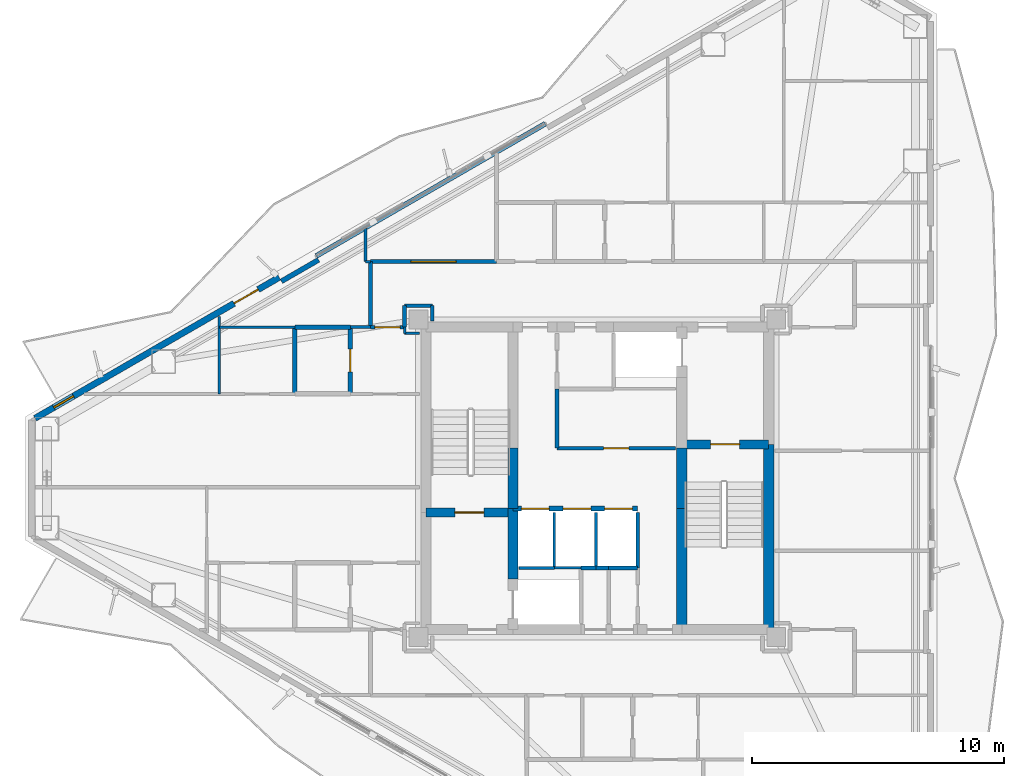
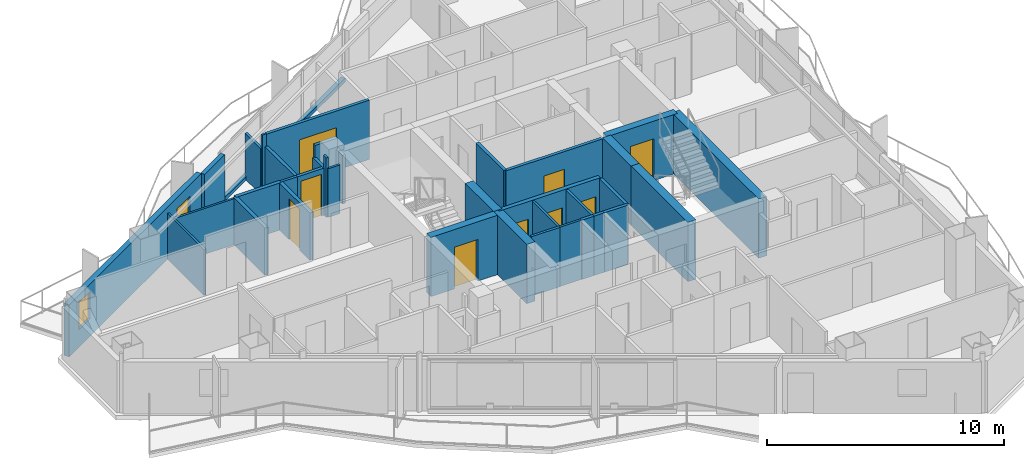
# One storey, part 14 of 19: 37 walls, 10 doors, 1 window, 11 openings.
"""IFC4 building model written with IfcOpenShell, lengths in metres."""

import ifcopenshell
import ifcopenshell.guid

model = None  # the IFC model being written
_history = None  # IfcOwnerHistory: only IFC2X3 demands one
_inside = {}  # id of a spatial element -> (the spatial element, [elements in it])
_under = {}  # id of a project, library or spatial element -> (it, [spatial elements below it])
_declared = {}  # id of a project -> (the project, [libraries it declares])
_typed = {}  # id of a type object -> (the type object, [elements of that type])
_made_of = {}  # id of a material, layer set ... -> (it, [elements and type objects made of it])


def new_model(schema):
    """Start an empty IFC model of exactly this schema.

    Asked for "IFC4X3", IfcOpenShell would pick the latest addendum, in which some entities
    have other attributes; the version numbers below select the first issue.
    IFC2X3 requires an IfcOwnerHistory on every rooted entity: one is made here for all.
    """
    global model, _history
    if schema == "IFC4X3":
        model = ifcopenshell.file(schema_version=(4, 3, 0, 0))
    else:
        model = ifcopenshell.file(schema=schema)
    _inside.clear()
    _under.clear()
    _declared.clear()
    _typed.clear()
    _made_of.clear()
    _history = None
    if model.schema == "IFC2X3":
        org = make("IfcOrganization", Name="unknown")
        user = make(
            "IfcPersonAndOrganization",
            ThePerson=make("IfcPerson", FamilyName="unknown"),
            TheOrganization=org,
        )
        app = make(
            "IfcApplication",
            ApplicationDeveloper=org,
            Version="unknown",
            ApplicationFullName="unknown",
            ApplicationIdentifier="unknown",
        )
        _history = make(
            "IfcOwnerHistory",
            OwningUser=user,
            OwningApplication=app,
            ChangeAction="ADDED",
            CreationDate=0,
        )
    return model


def make(cls, **values):
    """One entity of the class cls with the attributes given. An attribute that is None is left unset."""
    return model.create_entity(
        cls, **{name: value for name, value in values.items() if value is not None}
    )


def rooted(cls, **values):
    """An entity with a GlobalId (a new one), such as an element, a storey or a relation."""
    return make(cls, GlobalId=ifcopenshell.guid.new(), OwnerHistory=_history, **values)


def si_unit(unit_type, name, prefix=None):
    """IfcSIUnit, for example si_unit("LENGTHUNIT", "METRE", prefix="MILLI")."""
    return make("IfcSIUnit", UnitType=unit_type, Prefix=prefix, Name=name)


def assignment(units):
    """IfcUnitAssignment: the units of a project."""
    return None if units is None else make("IfcUnitAssignment", Units=units)


def point(xyz):
    """IfcCartesianPoint."""
    return None if xyz is None else make("IfcCartesianPoint", Coordinates=xyz)


def direction(xyz):
    """IfcDirection."""
    return None if xyz is None else make("IfcDirection", DirectionRatios=xyz)


def frame(location, z_axis=None, x_axis=None):
    """IfcAxis2Placement3D, a coordinate frame: its origin and axes. An axis left out is left unset."""
    return make(
        "IfcAxis2Placement3D",
        Location=point(location),
        Axis=direction(z_axis),
        RefDirection=direction(x_axis),
    )


def frame_2d(location, x_axis=None):
    """IfcAxis2Placement2D, a coordinate frame in the plane: its origin and x axis."""
    return make(
        "IfcAxis2Placement2D", Location=point(location), RefDirection=direction(x_axis)
    )


def origin():
    """The frame at (0, 0, 0) with its axes left unset."""
    return frame((0.0, 0.0, 0.0))


def place(relative_to, where):
    """IfcLocalPlacement: puts the frame where relative to a parent placement (None: the world)."""
    return make(
        "IfcLocalPlacement", PlacementRelTo=relative_to, RelativePlacement=where
    )


def context(
    kind, dimensions, precision=None, world=None, true_north=None, identifier=None
):
    """IfcGeometricRepresentationContext, for example the 3D "Model" context."""
    return make(
        "IfcGeometricRepresentationContext",
        ContextIdentifier=identifier,
        ContextType=kind,
        CoordinateSpaceDimension=dimensions,
        Precision=precision,
        WorldCoordinateSystem=world,
        TrueNorth=true_north,
    )


def subcontext(parent, identifier, kind, view, scale=None):
    """IfcGeometricRepresentationSubContext, for example "Body" below "Model"."""
    return make(
        "IfcGeometricRepresentationSubContext",
        ContextIdentifier=identifier,
        ContextType=kind,
        ParentContext=parent,
        TargetScale=scale,
        TargetView=view,
    )


def project(units=None, contexts=None):
    """IfcProject with its units and contexts."""
    return rooted(
        "IfcProject",
        Name="project",
        RepresentationContexts=contexts,
        UnitsInContext=assignment(units),
    )


def spatial(cls, under=None, at=None, **own):
    """A site, building, storey or space (cls), placed at a placement, below another one or the project."""
    s = rooted(cls, ObjectPlacement=at, **own)
    if under is not None:
        _under.setdefault(under.id(), (under, []))[1].append(s)
    return s


def profile(cls, at=None, kind="AREA", **sizes):
    """A parametric profile (cls). Its sizes go by their IFC names, for example OverallWidth=200.0."""
    return make(cls, ProfileType=kind, Position=at, **sizes)


def rectangle(**sizes):
    """IfcRectangleProfileDef."""
    return profile("IfcRectangleProfileDef", **sizes)


def extrude(swept, where, along, depth):
    """IfcExtrudedAreaSolid: the profile swept, set in the frame where, extruded along a direction by depth."""
    return make(
        "IfcExtrudedAreaSolid",
        SweptArea=swept,
        Position=where,
        ExtrudedDirection=direction(along),
        Depth=depth,
    )


def shape(context_of_items, identifier, shape_type, items):
    """IfcShapeRepresentation: the items that make up one representation, for example the "Body"."""
    return make(
        "IfcShapeRepresentation",
        ContextOfItems=context_of_items,
        RepresentationIdentifier=identifier,
        RepresentationType=shape_type,
        Items=items,
    )


def material(Name=None, Category=None):
    """IfcMaterial."""
    return make("IfcMaterial", Name=Name, Category=Category)


def layer(
    of_material, thickness, ventilated=None, Name=None, Category=None, Priority=None
):
    """IfcMaterialLayer: one layer of a wall or slab, of a material (None: an air gap)."""
    return make(
        "IfcMaterialLayer",
        Material=of_material,
        LayerThickness=thickness,
        IsVentilated=ventilated,
        Name=Name,
        Category=Category,
        Priority=Priority,
    )


def layer_set(layers, Name=None):
    """IfcMaterialLayerSet."""
    return make("IfcMaterialLayerSet", MaterialLayers=layers, LayerSetName=Name)


def made_of(thing, what):
    """Note that an element or type object is made of a material, layer set ...; save() writes the relation."""
    if what is not None:
        _made_of.setdefault(what.id(), (what, []))[1].append(thing)
    return thing


def type_object(cls, material=None, **own):
    """A type object (cls), such as IfcWallType, which elements share."""
    return made_of(rooted(cls, **own), material)


def element(
    cls,
    number,
    at=None,
    inside=None,
    cuts=None,
    type_object=None,
    material=None,
    context=None,
    identifier="Body",
    shape_type=None,
    held_by="IfcProductDefinitionShape",
    body=None,
    shapes=None,
    **own,
):
    """One element of the class cls, such as IfcWall. Its Tag is "e" and its number.

    at: its placement. inside: the storey or other place that contains it. cuts: it is an
    opening in that element (IfcRelVoidsElement). A single representation is given by context,
    identifier, shape_type and body (its items); several are given by shapes. held_by: the class
    of the entity that holds the representations. save() writes the other relations.
    """
    e = rooted(cls, Tag="e%d" % number, ObjectPlacement=at, **own)
    if body is not None:
        shapes = [shape(context, identifier, shape_type, body)]
    if shapes is not None:
        e.Representation = make(held_by, Representations=shapes)
    if inside is not None:
        _inside.setdefault(inside.id(), (inside, []))[1].append(e)
    if cuts is not None:
        rooted(
            "IfcRelVoidsElement", RelatingBuildingElement=cuts, RelatedOpeningElement=e
        )
    if type_object is not None:
        _typed.setdefault(type_object.id(), (type_object, []))[1].append(e)
    return made_of(e, material)


def fill(opening, filler):
    """IfcRelFillsElement: the door or window that sits in an opening."""
    return rooted(
        "IfcRelFillsElement",
        RelatingOpeningElement=opening,
        RelatedBuildingElement=filler,
    )


def aggregate(whole, parts):
    """IfcRelAggregates: a whole, such as a stair, and the parts it consists of."""
    return rooted("IfcRelAggregates", RelatingObject=whole, RelatedObjects=parts)


def save(model, path):
    """Write the relations noted so far, then the file.

    IfcRelAggregates (storeys below a building ...), IfcRelContainedInSpatialStructure (elements
    in a storey), IfcRelDefinesByType, IfcRelAssociatesMaterial and IfcRelDeclares: one each for
    every whole, place, type object, material and project.
    """
    for whole, parts in _under.values():
        aggregate(whole, parts)
    for where, things in _inside.values():
        rooted(
            "IfcRelContainedInSpatialStructure",
            RelatedElements=things,
            RelatingStructure=where,
        )
    for kind, things in _typed.values():
        rooted("IfcRelDefinesByType", RelatedObjects=things, RelatingType=kind)
    for what, things in _made_of.values():
        rooted("IfcRelAssociatesMaterial", RelatedObjects=things, RelatingMaterial=what)
    for by, libraries in _declared.values():
        rooted("IfcRelDeclares", RelatingContext=by, RelatedDefinitions=libraries)
    model.write(path)


model = new_model("IFC4")

# Units and contexts
model_context = context("Model", 3, precision=1e-05, world=origin(), true_north=direction((0.0, 1.0)))
body_context = subcontext(model_context, "Body", "Model", "MODEL_VIEW")
ifc_project = project(units=[si_unit("LENGTHUNIT", "METRE"), si_unit("AREAUNIT", "SQUARE_METRE"), si_unit("VOLUMEUNIT", "CUBIC_METRE"), si_unit("PLANEANGLEUNIT", "RADIAN"), si_unit("MASSUNIT", "GRAM", prefix="KILO")], contexts=[model_context])

# Site, building, storey
site_placement = place(None, origin())
site = spatial("IfcSite", under=ifc_project, at=site_placement, CompositionType="ELEMENT")
building_placement = place(site_placement, origin())
building = spatial("IfcBuilding", under=site, at=building_placement, Name="Mersakhor Tower and Convention Hall", CompositionType="ELEMENT")
storey_placement = place(building_placement, frame((0.0, 0.0, 127.800048828125)))
storey = spatial("IfcBuildingStorey", under=building, at=storey_placement, Name="L35", CompositionType="ELEMENT", Elevation=127.800048828125)

# Wall, openings, door, window
ifc_material_1 = material(Name="Precast concrete C40/50", Category="concrete")
ifc_layer_1 = layer(ifc_material_1, 0.25)
ifc_layer_set_1 = layer_set([ifc_layer_1], Name="Precast concrete C40/50")
wall_type_1 = type_object("IfcWallType", Name="WL-EXT-250", PredefinedType="SOLIDWALL", material=ifc_layer_set_1)
wall_1_placement = place(storey_placement, frame((6.690185546875, 29.1337890625, 0.0), z_axis=(0.0, 0.0, 1.0), x_axis=(0.866027848477, 0.499995765644, 0.0)))
wall_1 = element("IfcWall", 1, at=wall_1_placement, inside=storey, type_object=wall_type_1, Name="L35 Exterior Facade Wall F1-B1", PredefinedType="SOLIDWALL", context=body_context, shape_type="SweptSolid", body=[
    extrude(rectangle(XDim=11.18603515625, YDim=0.25, at=frame_2d((5.593017578125, 0.0))), origin(), (0.0, 0.0, 1.0), 2.679931640625),
])
opening_1_placement = place(wall_1_placement, frame((9.1220703125, 0.0, 0.0)))
opening_1 = element("IfcOpeningElement", 2, at=opening_1_placement, cuts=wall_1, Name="Opening BD-02", PredefinedType="OPENING", context=body_context, shape_type="SweptSolid", body=[
    extrude(rectangle(XDim=1.10009765625, YDim=2.10009765625, at=frame_2d((0.550048828125, 1.050048828125))), frame((0.0, 0.135009765625, 0.0), z_axis=(0.0, -1.0, 0.0), x_axis=(1.0, 0.0, 0.0)), (0.0, 0.0, 1.0), 0.27001953125),
])
opening_2_placement = place(wall_1_placement, frame((0.860107421875, 0.0, 0.89990234375)))
opening_2 = element("IfcOpeningElement", 3, at=opening_2_placement, cuts=wall_1, Name="Opening W-06", PredefinedType="OPENING", context=body_context, shape_type="SweptSolid", body=[
    extrude(rectangle(XDim=0.89990234375, YDim=1.39990234375, at=frame_2d((0.449951171875, 0.699951171875))), frame((0.0, 0.135009765625, 0.0), z_axis=(0.0, -1.0, 0.0), x_axis=(1.0, 0.0, 0.0)), (0.0, 0.0, 1.0), 0.27001953125),
])
ifc_material_2 = material(Name="Thermally broken dark aluminium and safety glass", Category="aluminium")
door_type_1 = type_object("IfcDoorType", Name="DR-BAL-110x210", OperationType="NOTDEFINED", PredefinedType="DOOR", material=ifc_material_2)
door_1_placement = place(opening_1_placement, origin())
door_1 = element("IfcDoor", 4, at=door_1_placement, inside=storey, type_object=door_type_1, Name="L35 Balcony Terrace Door F1-B1", OperationType="SINGLE_SWING_RIGHT", OverallHeight=2.10009765625, OverallWidth=1.10009765625, PredefinedType="DOOR", context=body_context, shape_type="SweptSolid", body=[
    extrude(rectangle(XDim=1.10009765625, YDim=2.10009765625, at=frame_2d((0.550048828125, 1.050048828125))), frame((0.0, 0.02490234375, 0.0), z_axis=(0.0, -1.0, 0.0), x_axis=(1.0, 0.0, 0.0)), (0.0, 0.0, 1.0), 0.050048828125),
])
fill(opening_1, door_1)
ifc_material_3 = material(Name="Dark solar low-E glazed aluminium window", Category="aluminium")
window_type = type_object("IfcWindowType", Name="WN-STD-090x140", PartitioningType="SINGLE_PANEL", PredefinedType="WINDOW", material=ifc_material_3)
window_placement = place(opening_2_placement, origin())
window = element("IfcWindow", 5, at=window_placement, inside=storey, type_object=window_type, Name="L35 Bedroom Facade Window F1-B1-1", OverallHeight=1.39990234375, OverallWidth=0.89990234375, PartitioningType="SINGLE_PANEL", PredefinedType="WINDOW", context=body_context, shape_type="SweptSolid", body=[
    extrude(rectangle(XDim=0.89990234375, YDim=1.39990234375, at=frame_2d((0.449951171875, 0.699951171875))), frame((0.0, 0.030029296875, 0.0), z_axis=(0.0, -1.0, 0.0), x_axis=(1.0, 0.0, 0.0)), (0.0, 0.0, 1.0), 0.06005859375),
])
fill(opening_2, window)

# Walls
ifc_material_4 = material(Name="Precast concrete C40/50", Category="concrete")
ifc_layer_2 = layer(ifc_material_4, 0.199951171875)
ifc_layer_set_2 = layer_set([ifc_layer_2], Name="Precast concrete C40/50")
wall_type_2 = type_object("IfcWallType", Name="WL-PAR-200", PredefinedType="PARAPET", material=ifc_layer_set_2)
wall_2_placement = place(storey_placement, frame((17.849853515625, 35.57666015625, 0.0), z_axis=(0.0, 0.0, 1.0), x_axis=(0.866026619769, 0.499997893847, 0.0)))
element("IfcWall", 6, at=wall_2_placement, inside=storey, type_object=wall_type_2, Name="L35 Curtain Wall Upstand Sill F1-B2", PredefinedType="PARAPET", context=body_context, shape_type="SweptSolid", body=[
    extrude(rectangle(XDim=10.48583984375, YDim=0.199951171875, at=frame_2d((5.242919921875, 0.0))), origin(), (0.0, 0.0, 1.0), 0.199951171875),
])
wall_3_placement = place(storey_placement, frame((16.467529296875, 34.57080078125, 0.0), z_axis=(0.0, 0.0, 1.0), x_axis=(0.865989465428, 0.500062241894, 0.0)))
element("IfcWall", 7, at=wall_3_placement, inside=storey, type_object=wall_type_2, Name="L35 Column Pier Cladding Wall F1-C1", PredefinedType="PARAPET", context=body_context, shape_type="SweptSolid", body=[
    extrude(rectangle(XDim=1.699951171875, YDim=0.199951171875, at=frame_2d((0.85009765625, 0.0))), origin(), (0.0, 0.0, 1.0), 2.679931640625),
])

# Wall, opening, door
ifc_material_5 = material(Name="Moisture-resistant acoustic drywall studwork", Category="other")
ifc_layer_3 = layer(ifc_material_5, 0.175048828125)
ifc_layer_set_3 = layer_set([ifc_layer_3], Name="Moisture-resistant acoustic drywall studwork")
wall_type_3 = type_object("IfcWallType", Name="WL-PLM-175", PredefinedType="PLUMBINGWALL", material=ifc_layer_set_3)
wall_4_placement = place(storey_placement, frame((19.199951171875, 30.10009765625, 0.0), z_axis=(0.0, 0.0, 1.0), x_axis=(0.0, 1.0, 0.0)))
wall_4 = element("IfcWall", 8, at=wall_4_placement, inside=storey, type_object=wall_type_3, Name="L35 Interior Partition Wall P-058", PredefinedType="PLUMBINGWALL", context=body_context, shape_type="SweptSolid", body=[
    extrude(rectangle(XDim=2.64990234375, YDim=0.175048828125, at=frame_2d((1.324951171875, 0.0))), origin(), (0.0, 0.0, 1.0), 2.432861328125),
])
opening_3_placement = place(wall_4_placement, frame((0.875, 0.0, 0.0)))
opening_3 = element("IfcOpeningElement", 9, at=opening_3_placement, cuts=wall_4, Name="Opening WD-01", PredefinedType="OPENING", context=body_context, shape_type="SweptSolid", body=[
    extrude(rectangle(XDim=0.89990234375, YDim=2.10009765625, at=frame_2d((0.449951171875, 1.050048828125))), frame((0.0, 0.097412109375, 0.0), z_axis=(0.0, -1.0, 0.0), x_axis=(1.0, 0.0, 0.0)), (0.0, 0.0, 1.0), 0.195068359375),
])
ifc_material_6 = material(Name="Solid-core hardwood leaf in painted steel frame", Category="steel")
door_type_2 = type_object("IfcDoorType", Name="DR-INT-WET-090x210", OperationType="NOTDEFINED", PredefinedType="DOOR", material=ifc_material_6)
door_2_placement = place(opening_3_placement, origin())
door_2 = element("IfcDoor", 10, at=door_2_placement, inside=storey, type_object=door_type_2, Name="L35 L35 Flat W3 Apartment Hall to L35 Flat W3 Bathroom Door", OperationType="SINGLE_SWING_LEFT", OverallHeight=2.10009765625, OverallWidth=0.89990234375, PredefinedType="DOOR", context=body_context, shape_type="SweptSolid", body=[
    extrude(rectangle(XDim=0.89990234375, YDim=2.10009765625, at=frame_2d((0.449951171875, 1.050048828125))), frame((0.0, 0.02490234375, 0.0), z_axis=(0.0, -1.0, 0.0), x_axis=(1.0, 0.0, 0.0)), (0.0, 0.0, 1.0), 0.050048828125),
])
fill(opening_3, door_2)

# Walls
wall_5_placement = place(storey_placement, frame((17.0, 32.75, 0.0), z_axis=(0.0, 0.0, 1.0), x_axis=(1.0, 0.0, 0.0)))
element("IfcWall", 11, at=wall_5_placement, inside=storey, type_object=wall_type_3, Name="L35 Interior Partition Wall P-079", PredefinedType="PLUMBINGWALL", context=body_context, shape_type="SweptSolid", body=[
    extrude(rectangle(XDim=2.199951171875, YDim=0.175048828125, at=frame_2d((1.10009765625, 0.0))), origin(), (0.0, 0.0, 1.0), 2.432861328125),
])
wall_6_placement = place(storey_placement, frame((17.0, 30.10009765625, 0.0), z_axis=(0.0, 0.0, 1.0), x_axis=(0.0, 1.0, 0.0)))
element("IfcWall", 12, at=wall_6_placement, inside=storey, type_object=wall_type_3, Name="L35 Interior Partition Wall P-081", PredefinedType="PLUMBINGWALL", context=body_context, shape_type="SweptSolid", body=[
    extrude(rectangle(XDim=2.64990234375, YDim=0.175048828125, at=frame_2d((1.324951171875, 0.0))), origin(), (0.0, 0.0, 1.0), 2.432861328125),
])
ifc_material_7 = material(Name="Lightweight gypsum partition", Category="other")
ifc_layer_4 = layer(ifc_material_7, 0.10009765625)
ifc_layer_set_4 = layer_set([ifc_layer_4], Name="Lightweight gypsum partition")
wall_type_4 = type_object("IfcWallType", Name="WL-PRT-100", PredefinedType="PARTITIONING", material=ifc_layer_set_4)
wall_7_placement = place(storey_placement, frame((27.300048828125, 23.199951171875, 0.0), z_axis=(0.0, 0.0, 1.0), x_axis=(1.0, 0.0, 0.0)))
element("IfcWall", 13, at=wall_7_placement, inside=storey, type_object=wall_type_4, Name="L35 Interior Partition Wall P-002", PredefinedType="PARTITIONING", context=body_context, shape_type="SweptSolid", body=[
    extrude(rectangle(XDim=1.050048828125, YDim=0.10009765625, at=frame_2d((0.52490234375, 0.0))), origin(), (0.0, 0.0, 1.0), 3.06005859375),
])
wall_8_placement = place(storey_placement, frame((27.300048828125, 25.39990234375, 0.0), z_axis=(0.0, 0.0, 1.0), x_axis=(0.0, -1.0, 0.0)))
element("IfcWall", 14, at=wall_8_placement, inside=storey, type_object=wall_type_4, Name="L35 Interior Partition Wall P-006", PredefinedType="PARTITIONING", context=body_context, shape_type="SweptSolid", body=[
    extrude(rectangle(XDim=2.199951171875, YDim=0.10009765625, at=frame_2d((1.10009765625, 0.0))), origin(), (0.0, 0.0, 1.0), 3.06005859375),
])
wall_9_placement = place(storey_placement, frame((21.35009765625, 32.5, 0.0), z_axis=(0.0, 0.0, 1.0), x_axis=(1.0, 0.0, 0.0)))
element("IfcWall", 15, at=wall_9_placement, inside=storey, type_object=wall_type_4, Name="L35 Interior Partition Wall P-056", PredefinedType="PARTITIONING", context=body_context, shape_type="SweptSolid", body=[
    extrude(rectangle(XDim=0.599853515625, YDim=0.10009765625, at=frame_2d((0.2998046875, 0.0))), origin(), (0.0, 0.0, 1.0), 2.50830078125),
])
wall_10_placement = place(storey_placement, frame((21.35009765625, 32.75, 0.0), z_axis=(0.0, 0.0, 1.0), x_axis=(0.0, -1.0, 0.0)))
element("IfcWall", 16, at=wall_10_placement, inside=storey, type_object=wall_type_4, Name="L35 Interior Partition Wall P-060", PredefinedType="PARTITIONING", context=body_context, shape_type="SweptSolid", body=[
    extrude(rectangle(XDim=0.25, YDim=0.10009765625, at=frame_2d((0.125, 0.0))), origin(), (0.0, 0.0, 1.0), 3.06005859375),
])
wall_11_placement = place(storey_placement, frame((14.0, 32.75, 0.0), z_axis=(0.0, 0.0, 1.0), x_axis=(1.0, 0.0, 0.0)))
element("IfcWall", 17, at=wall_11_placement, inside=storey, type_object=wall_type_4, Name="L35 Interior Partition Wall P-082", PredefinedType="PARTITIONING", context=body_context, shape_type="SweptSolid", body=[
    extrude(rectangle(XDim=3.0, YDim=0.10009765625, at=frame_2d((1.5, 0.0))), origin(), (0.0, 0.0, 1.0), 2.364990234375),
])
wall_12_placement = place(storey_placement, frame((14.0, 30.10009765625, 0.0), z_axis=(0.0, 0.0, 1.0), x_axis=(0.0, 1.0, 0.0)))
element("IfcWall", 18, at=wall_12_placement, inside=storey, type_object=wall_type_4, Name="L35 Interior Partition Wall P-084", PredefinedType="PARTITIONING", context=body_context, shape_type="SweptSolid", body=[
    extrude(rectangle(XDim=3.081787109375, YDim=0.10009765625, at=frame_2d((1.541015625, 0.0))), origin(), (0.0, 0.0, 1.0), 2.364990234375),
])
wall_13_placement = place(storey_placement, frame((20.0, 35.35009765625, 0.0), z_axis=(0.0, 0.0, 1.0), x_axis=(-1.0, 0.0, 0.0)))
element("IfcWall", 19, at=wall_13_placement, inside=storey, type_object=wall_type_4, Name="L35 Interior Partition Wall P-094", PredefinedType="PARTITIONING", context=body_context, shape_type="SweptSolid", body=[
    extrude(rectangle(XDim=0.199951171875, YDim=0.10009765625, at=frame_2d((0.10009765625, 0.0))), origin(), (0.0, 0.0, 1.0), 3.06005859375),
])
ifc_material_8 = material(Name="Gypsum board acoustic partition", Category="other")
ifc_layer_5 = layer(ifc_material_8, 0.125)
ifc_layer_set_5 = layer_set([ifc_layer_5], Name="Gypsum board acoustic partition")
wall_type_5 = type_object("IfcWallType", Name="WL-PRT-125", PredefinedType="PARTITIONING", material=ifc_layer_set_5)
wall_14_placement = place(storey_placement, frame((25.89990234375, 23.199951171875, 0.0), z_axis=(0.0, 0.0, 1.0), x_axis=(1.0, 0.0, 0.0)))
element("IfcWall", 20, at=wall_14_placement, inside=storey, type_object=wall_type_5, Name="L35 Interior Partition Wall P-001", PredefinedType="PARTITIONING", context=body_context, shape_type="SweptSolid", body=[
    extrude(rectangle(XDim=1.400146484375, YDim=0.125, at=frame_2d((0.7001953125, 0.0))), origin(), (0.0, 0.0, 1.0), 3.06005859375),
])
wall_15_placement = place(storey_placement, frame((28.949951171875, 25.39990234375, 0.0), z_axis=(0.0, 0.0, 1.0), x_axis=(0.0, -1.0, 0.0)))
element("IfcWall", 21, at=wall_15_placement, inside=storey, type_object=wall_type_5, Name="L35 Interior Partition Wall P-007", PredefinedType="PARTITIONING", context=body_context, shape_type="SweptSolid", body=[
    extrude(rectangle(XDim=2.199951171875, YDim=0.125, at=frame_2d((1.10009765625, 0.0))), origin(), (0.0, 0.0, 1.0), 3.06005859375),
])
wall_16_placement = place(storey_placement, frame((19.199951171875, 32.75, 0.0), z_axis=(0.0, 0.0, 1.0), x_axis=(1.0, 0.0, 0.0)))
element("IfcWall", 22, at=wall_16_placement, inside=storey, type_object=wall_type_5, Name="L35 Interior Partition Wall P-059", PredefinedType="PARTITIONING", context=body_context, shape_type="SweptSolid", body=[
    extrude(rectangle(XDim=0.800048828125, YDim=0.125, at=frame_2d((0.39990234375, 0.0))), origin(), (0.0, 0.0, 1.0), 2.432861328125),
])
wall_17_placement = place(storey_placement, frame((19.800048828125, 35.35009765625, 0.0), z_axis=(0.0, 0.0, 1.0), x_axis=(0.0, 1.0, 0.0)))
element("IfcWall", 23, at=wall_17_placement, inside=storey, type_object=wall_type_5, Name="L35 Interior Partition Wall P-095", PredefinedType="PARTITIONING", context=body_context, shape_type="SweptSolid", body=[
    extrude(rectangle(XDim=1.30859375, YDim=0.125, at=frame_2d((0.654296875, 0.0))), origin(), (0.0, 0.0, 1.0), 2.364990234375),
])
ifc_material_9 = material(Name="Fire-rated gypsum board stud partition", Category="other")
ifc_layer_6 = layer(ifc_material_9, 0.14990234375)
ifc_layer_set_6 = layer_set([ifc_layer_6], Name="Fire-rated gypsum board stud partition")
wall_type_6 = type_object("IfcWallType", Name="WL-PRT-150", PredefinedType="PARTITIONING", material=ifc_layer_set_6)
wall_18_placement = place(storey_placement, frame((28.949951171875, 23.199951171875, 0.0), z_axis=(0.0, 0.0, 1.0), x_axis=(-1.0, 0.0, 0.0)))
element("IfcWall", 24, at=wall_18_placement, inside=storey, type_object=wall_type_6, Name="L35 Interior Partition Wall P-008", PredefinedType="PARTITIONING", context=body_context, shape_type="SweptSolid", body=[
    extrude(rectangle(XDim=0.599853515625, YDim=0.14990234375, at=frame_2d((0.2998046875, 0.0))), origin(), (0.0, 0.0, 1.0), 3.06005859375),
])
wall_19_placement = place(storey_placement, frame((30.60009765625, 25.39990234375, 0.0), z_axis=(0.0, 0.0, 1.0), x_axis=(0.0, -1.0, 0.0)))
element("IfcWall", 25, at=wall_19_placement, inside=storey, type_object=wall_type_6, Name="L35 Interior Partition Wall P-009", PredefinedType="PARTITIONING", context=body_context, shape_type="SweptSolid", body=[
    extrude(rectangle(XDim=2.199951171875, YDim=0.14990234375, at=frame_2d((1.10009765625, 0.0))), origin(), (0.0, 0.0, 1.0), 3.06005859375),
])
wall_20_placement = place(storey_placement, frame((30.60009765625, 23.199951171875, 0.0), z_axis=(0.0, 0.0, 1.0), x_axis=(-1.0, 0.0, 0.0)))
element("IfcWall", 26, at=wall_20_placement, inside=storey, type_object=wall_type_6, Name="L35 Interior Partition Wall P-010", PredefinedType="PARTITIONING", context=body_context, shape_type="SweptSolid", body=[
    extrude(rectangle(XDim=1.150146484375, YDim=0.14990234375, at=frame_2d((0.5751953125, 0.0))), origin(), (0.0, 0.0, 1.0), 3.06005859375),
])
wall_21_placement = place(storey_placement, frame((29.449951171875, 23.199951171875, 0.0), z_axis=(0.0, 0.0, 1.0), x_axis=(-1.0, 0.0, 0.0)))
element("IfcWall", 27, at=wall_21_placement, inside=storey, type_object=wall_type_6, Name="L35 Interior Partition Wall P-011", PredefinedType="PARTITIONING", context=body_context, shape_type="SweptSolid", body=[
    extrude(rectangle(XDim=0.5, YDim=0.14990234375, at=frame_2d((0.25, 0.0))), origin(), (0.0, 0.0, 1.0), 3.06005859375),
])
wall_22_placement = place(storey_placement, frame((27.39990234375, 30.300048828125, 0.0), z_axis=(0.0, 0.0, 1.0), x_axis=(0.0, -1.0, 0.0)))
element("IfcWall", 28, at=wall_22_placement, inside=storey, type_object=wall_type_6, Name="L35 Interior Partition Wall P-014", PredefinedType="PARTITIONING", context=body_context, shape_type="SweptSolid", body=[
    extrude(rectangle(XDim=2.35009765625, YDim=0.14990234375, at=frame_2d((1.175048828125, 0.0))), origin(), (0.0, 0.0, 1.0), 3.06005859375),
])

# Wall, opening, door
wall_23_placement = place(storey_placement, frame((27.39990234375, 27.949951171875, 0.0), z_axis=(0.0, 0.0, 1.0), x_axis=(1.0, 0.0, 0.0)))
wall_23 = element("IfcWall", 29, at=wall_23_placement, inside=storey, type_object=wall_type_6, Name="L35 Interior Partition Wall P-015", PredefinedType="PARTITIONING", context=body_context, shape_type="SweptSolid", body=[
    extrude(rectangle(XDim=4.7001953125, YDim=0.14990234375, at=frame_2d((2.35009765625, 0.0))), origin(), (0.0, 0.0, 1.0), 3.06005859375),
])
opening_4_placement = place(wall_23_placement, frame((1.85009765625, 0.0, 0.0)))
opening_4 = element("IfcOpeningElement", 30, at=opening_4_placement, cuts=wall_23, Name="Opening FD-01", PredefinedType="OPENING", context=body_context, shape_type="SweptSolid", body=[
    extrude(rectangle(XDim=1.0, YDim=2.14990234375, at=frame_2d((0.5, 1.074951171875))), frame((0.0, 0.0849609375, 0.0), z_axis=(0.0, -1.0, 0.0), x_axis=(1.0, 0.0, 0.0)), (0.0, 0.0, 1.0), 0.169921875),
])
ifc_material_10 = material(Name="Fire-rated hardwood leaf and painted steel frame", Category="steel")
door_type_3 = type_object("IfcDoorType", Name="DR-INT-FLT-100x215", OperationType="NOTDEFINED", PredefinedType="DOOR", material=ifc_material_10)
door_3_placement = place(opening_4_placement, origin())
door_3 = element("IfcDoor", 31, at=door_3_placement, inside=storey, type_object=door_type_3, Name="L35 Central Passenger Lift Lobby to Shared Floor Tea Pantry Door", OperationType="SINGLE_SWING_LEFT", OverallHeight=2.14990234375, OverallWidth=1.0, PredefinedType="DOOR", context=body_context, shape_type="SweptSolid", body=[
    extrude(rectangle(XDim=1.0, YDim=2.14990234375, at=frame_2d((0.5, 1.074951171875))), frame((0.0, 0.02490234375, 0.0), z_axis=(0.0, -1.0, 0.0), x_axis=(1.0, 0.0, 0.0)), (0.0, 0.0, 1.0), 0.050048828125),
])
fill(opening_4, door_3)

# Walls
wall_24_placement = place(storey_placement, frame((22.449951171875, 33.0, 0.0), z_axis=(0.0, 0.0, 1.0), x_axis=(0.0, 1.0, 0.0)))
element("IfcWall", 32, at=wall_24_placement, inside=storey, type_object=wall_type_6, Name="L35 Interior Partition Wall P-017", PredefinedType="PARTITIONING", context=body_context, shape_type="SweptSolid", body=[
    extrude(rectangle(XDim=0.60009765625, YDim=0.14990234375, at=frame_2d((0.300048828125, 0.0))), origin(), (0.0, 0.0, 1.0), 2.50830078125),
])
wall_25_placement = place(storey_placement, frame((22.449951171875, 33.60009765625, 0.0), z_axis=(0.0, 0.0, 1.0), x_axis=(-1.0, 0.0, 0.0)))
element("IfcWall", 33, at=wall_25_placement, inside=storey, type_object=wall_type_6, Name="L35 Interior Partition Wall P-018", PredefinedType="PARTITIONING", context=body_context, shape_type="SweptSolid", body=[
    extrude(rectangle(XDim=1.099853515625, YDim=0.14990234375, at=frame_2d((0.5498046875, 0.0))), origin(), (0.0, 0.0, 1.0), 3.06005859375),
])
wall_26_placement = place(storey_placement, frame((21.35009765625, 33.60009765625, 0.0), z_axis=(0.0, 0.0, 1.0), x_axis=(0.0, -1.0, 0.0)))
element("IfcWall", 34, at=wall_26_placement, inside=storey, type_object=wall_type_6, Name="L35 Interior Partition Wall P-019", PredefinedType="PARTITIONING", context=body_context, shape_type="SweptSolid", body=[
    extrude(rectangle(XDim=0.85009765625, YDim=0.14990234375, at=frame_2d((0.425048828125, 0.0))), origin(), (0.0, 0.0, 1.0), 2.432861328125),
])

# Wall, opening, door
wall_27_placement = place(storey_placement, frame((21.35009765625, 32.75, 0.0), z_axis=(0.0, 0.0, 1.0), x_axis=(-1.0, 0.0, 0.0)))
wall_27 = element("IfcWall", 35, at=wall_27_placement, inside=storey, type_object=wall_type_6, Name="L35 Interior Partition Wall P-020", PredefinedType="PARTITIONING", context=body_context, shape_type="SweptSolid", body=[
    extrude(rectangle(XDim=1.35009765625, YDim=0.14990234375, at=frame_2d((0.675048828125, 0.0))), origin(), (0.0, 0.0, 1.0), 2.432861328125),
])
opening_5_placement = place(wall_27_placement, frame((0.175048828125, 0.0, 0.0)))
opening_5 = element("IfcOpeningElement", 36, at=opening_5_placement, cuts=wall_27, Name="Opening FD-01", PredefinedType="OPENING", context=body_context, shape_type="SweptSolid", body=[
    extrude(rectangle(XDim=1.0, YDim=2.14990234375, at=frame_2d((0.5, 1.074951171875))), frame((0.0, 0.0849609375, 0.0), z_axis=(0.0, -1.0, 0.0), x_axis=(1.0, 0.0, 0.0)), (0.0, 0.0, 1.0), 0.169921875),
])
door_4_placement = place(opening_5_placement, origin())
door_4 = element("IfcDoor", 37, at=door_4_placement, inside=storey, type_object=door_type_3, Name="L35 Apartment Entrance Door (Residential North Gallery Corridor to L35 Flat W3 Apartment Hall)", OperationType="SINGLE_SWING_LEFT", OverallHeight=2.14990234375, OverallWidth=1.0, PredefinedType="DOOR", context=body_context, shape_type="SweptSolid", body=[
    extrude(rectangle(XDim=1.0, YDim=2.14990234375, at=frame_2d((0.5, 1.074951171875))), frame((0.0, 0.02490234375, 0.0), z_axis=(0.0, -1.0, 0.0), x_axis=(1.0, 0.0, 0.0)), (0.0, 0.0, 1.0), 0.050048828125),
])
fill(opening_5, door_4)

# Wall
wall_28_placement = place(storey_placement, frame((20.0, 32.75, 0.0), z_axis=(0.0, 0.0, 1.0), x_axis=(0.0, 1.0, 0.0)))
element("IfcWall", 38, at=wall_28_placement, inside=storey, type_object=wall_type_6, Name="L35 Interior Partition Wall P-021", PredefinedType="PARTITIONING", context=body_context, shape_type="SweptSolid", body=[
    extrude(rectangle(XDim=2.60009765625, YDim=0.14990234375, at=frame_2d((1.300048828125, 0.0))), origin(), (0.0, 0.0, 1.0), 2.432861328125),
])

# Wall, opening, door
wall_29_placement = place(storey_placement, frame((20.0, 35.35009765625, 0.0), z_axis=(0.0, 0.0, 1.0), x_axis=(1.0, 0.0, 0.0)))
wall_29 = element("IfcWall", 39, at=wall_29_placement, inside=storey, type_object=wall_type_6, Name="L35 Interior Partition Wall P-022", PredefinedType="PARTITIONING", context=body_context, shape_type="SweptSolid", body=[
    extrude(rectangle(XDim=5.0, YDim=0.14990234375, at=frame_2d((2.5, 0.0))), origin(), (0.0, 0.0, 1.0), 3.06005859375),
])
opening_6_placement = place(wall_29_placement, frame((1.60009765625, 0.0, 0.0)))
opening_6 = element("IfcOpeningElement", 40, at=opening_6_placement, cuts=wall_29, Name="Opening HD-01", PredefinedType="OPENING", context=body_context, shape_type="SweptSolid", body=[
    extrude(rectangle(XDim=1.800048828125, YDim=2.199951171875, at=frame_2d((0.89990234375, 1.10009765625))), frame((0.0, 0.0849609375, 0.0), z_axis=(0.0, -1.0, 0.0), x_axis=(1.0, 0.0, 0.0)), (0.0, 0.0, 1.0), 0.169921875),
])
ifc_material_11 = material(Name="Fire-rated hardwood leaf and painted steel frame", Category="steel")
door_type_4 = type_object("IfcDoorType", Name="DR-INT-HALL-180x220", OperationType="NOTDEFINED", PredefinedType="DOOR", material=ifc_material_11)
door_5_placement = place(opening_6_placement, origin())
door_5 = element("IfcDoor", 41, at=door_5_placement, inside=storey, type_object=door_type_4, Name="L35 Residential North Gallery Corridor to L35 North Floor Residents Meeting Room Door", OperationType="DOUBLE_DOOR_SINGLE_SWING", OverallHeight=2.199951171875, OverallWidth=1.800048828125, PredefinedType="DOOR", context=body_context, shape_type="SweptSolid", body=[
    extrude(rectangle(XDim=1.800048828125, YDim=2.199951171875, at=frame_2d((0.89990234375, 1.10009765625))), frame((0.0, 0.02490234375, 0.0), z_axis=(0.0, -1.0, 0.0), x_axis=(1.0, 0.0, 0.0)), (0.0, 0.0, 1.0), 0.050048828125),
])
fill(opening_6, door_5)

# Wall, openings, doors
ifc_material_12 = material(Name="Acoustic concrete blockwork and gypsum board", Category="masonry")
ifc_layer_7 = layer(ifc_material_12, 0.199951171875)
ifc_layer_set_7 = layer_set([ifc_layer_7], Name="Acoustic concrete blockwork and gypsum board")
wall_type_7 = type_object("IfcWallType", Name="WL-PRT-200", PredefinedType="PARTITIONING", material=ifc_layer_set_7)
wall_30_placement = place(storey_placement, frame((25.64990234375, 25.550048828125, 0.0), z_axis=(0.0, 0.0, 1.0), x_axis=(1.0, 0.0, 0.0)))
wall_30 = element("IfcWall", 42, at=wall_30_placement, inside=storey, type_object=wall_type_7, Name="L35 High-Rise Lift Bank Front Wall", PredefinedType="PARTITIONING", context=body_context, shape_type="SweptSolid", body=[
    extrude(rectangle(XDim=4.9501953125, YDim=0.199951171875, at=frame_2d((2.47509765625, 0.0))), origin(), (0.0, 0.0, 1.0), 3.06005859375),
])
opening_7_placement = place(wall_30_placement, frame((0.340087890625, 0.0, 0.0)))
opening_7 = element("IfcOpeningElement", 43, at=opening_7_placement, cuts=wall_30, Name="Opening LD-P4", PredefinedType="OPENING", context=body_context, shape_type="SweptSolid", body=[
    extrude(rectangle(XDim=1.10009765625, YDim=2.14990234375, at=frame_2d((0.550048828125, 1.074951171875))), frame((0.0, 0.10986328125, 0.0), z_axis=(0.0, -1.0, 0.0), x_axis=(1.0, 0.0, 0.0)), (0.0, 0.0, 1.0), 0.219970703125),
])
opening_8_placement = place(wall_30_placement, frame((1.989990234375, 0.0, 0.0)))
opening_8 = element("IfcOpeningElement", 44, at=opening_8_placement, cuts=wall_30, Name="Opening LD-P5", PredefinedType="OPENING", context=body_context, shape_type="SweptSolid", body=[
    extrude(rectangle(XDim=1.10009765625, YDim=2.14990234375, at=frame_2d((0.550048828125, 1.074951171875))), frame((0.0, 0.10986328125, 0.0), z_axis=(0.0, -1.0, 0.0), x_axis=(1.0, 0.0, 0.0)), (0.0, 0.0, 1.0), 0.219970703125),
])
opening_9_placement = place(wall_30_placement, frame((3.639892578125, 0.0, 0.0)))
opening_9 = element("IfcOpeningElement", 45, at=opening_9_placement, cuts=wall_30, Name="Opening LD-P6", PredefinedType="OPENING", context=body_context, shape_type="SweptSolid", body=[
    extrude(rectangle(XDim=1.10009765625, YDim=2.14990234375, at=frame_2d((0.550048828125, 1.074951171875))), frame((0.0, 0.10986328125, 0.0), z_axis=(0.0, -1.0, 0.0), x_axis=(1.0, 0.0, 0.0)), (0.0, 0.0, 1.0), 0.219970703125),
])
ifc_material_13 = material(Name="Fire-rated brushed stainless steel sliding landing door", Category="steel")
door_type_5 = type_object("IfcDoorType", Name="DR-LIFT-SLD-110x215", OperationType="NOTDEFINED", PredefinedType="DOOR", material=ifc_material_13)
door_6_placement = place(opening_7_placement, origin())
door_6 = element("IfcDoor", 46, at=door_6_placement, inside=storey, type_object=door_type_5, Name="L35 Lift Landing Door LD-P4", OperationType="SLIDING_TO_LEFT", OverallHeight=2.14990234375, OverallWidth=1.10009765625, PredefinedType="DOOR", context=body_context, shape_type="SweptSolid", body=[
    extrude(rectangle(XDim=1.10009765625, YDim=2.14990234375, at=frame_2d((0.550048828125, 1.074951171875))), frame((0.0, 0.02490234375, 0.0), z_axis=(0.0, -1.0, 0.0), x_axis=(1.0, 0.0, 0.0)), (0.0, 0.0, 1.0), 0.050048828125),
])
fill(opening_7, door_6)
door_7_placement = place(opening_8_placement, origin())
door_7 = element("IfcDoor", 47, at=door_7_placement, inside=storey, type_object=door_type_5, Name="L35 Lift Landing Door LD-P5", OperationType="SLIDING_TO_LEFT", OverallHeight=2.14990234375, OverallWidth=1.10009765625, PredefinedType="DOOR", context=body_context, shape_type="SweptSolid", body=[
    extrude(rectangle(XDim=1.10009765625, YDim=2.14990234375, at=frame_2d((0.550048828125, 1.074951171875))), frame((0.0, 0.02490234375, 0.0), z_axis=(0.0, -1.0, 0.0), x_axis=(1.0, 0.0, 0.0)), (0.0, 0.0, 1.0), 0.050048828125),
])
fill(opening_8, door_7)
door_8_placement = place(opening_9_placement, origin())
door_8 = element("IfcDoor", 48, at=door_8_placement, inside=storey, type_object=door_type_5, Name="L35 Lift Landing Door LD-P6", OperationType="SLIDING_TO_LEFT", OverallHeight=2.14990234375, OverallWidth=1.10009765625, PredefinedType="DOOR", context=body_context, shape_type="SweptSolid", body=[
    extrude(rectangle(XDim=1.10009765625, YDim=2.14990234375, at=frame_2d((0.550048828125, 1.074951171875))), frame((0.0, 0.02490234375, 0.0), z_axis=(0.0, -1.0, 0.0), x_axis=(1.0, 0.0, 0.0)), (0.0, 0.0, 1.0), 0.050048828125),
])
fill(opening_9, door_8)

# Wall, opening, door
ifc_material_14 = material(Name="Concrete C50/60", Category="concrete")
ifc_layer_8 = layer(ifc_material_14, 0.35009765625)
ifc_layer_set_8 = layer_set([ifc_layer_8], Name="Concrete C50/60")
wall_type_8 = type_object("IfcWallType", Name="WL-SHR-350", PredefinedType="SHEAR", material=ifc_layer_set_8)
wall_31_placement = place(storey_placement, frame((22.199951171875, 25.39990234375, 0.0), z_axis=(0.0, 0.0, 1.0), x_axis=(1.0, 0.0, 0.0)))
wall_31 = element("IfcWall", 49, at=wall_31_placement, inside=storey, type_object=wall_type_8, Name="L35 Core Wall CS-ST1-S", PredefinedType="SHEAR", context=body_context, shape_type="SweptSolid", body=[
    extrude(rectangle(XDim=3.449951171875, YDim=0.35009765625, at=frame_2d((1.72509765625, 0.0))), origin(), (0.0, 0.0, 1.0), 3.06005859375),
])
opening_10_placement = place(wall_31_placement, frame((1.14990234375, 0.0, 0.0)))
opening_10 = element("IfcOpeningElement", 50, at=opening_10_placement, cuts=wall_31, Name="Opening SD-01", PredefinedType="OPENING", context=body_context, shape_type="SweptSolid", body=[
    extrude(rectangle(XDim=1.14990234375, YDim=2.14990234375, at=frame_2d((0.574951171875, 1.074951171875))), frame((0.0, 0.18505859375, 0.0), z_axis=(0.0, -1.0, 0.0), x_axis=(1.0, 0.0, 0.0)), (0.0, 0.0, 1.0), 0.3701171875),
])
ifc_material_15 = material(Name="Fire-rated hardwood leaf and painted steel frame", Category="steel")
door_type_6 = type_object("IfcDoorType", Name="DR-INT-STAIR-115x215", OperationType="NOTDEFINED", PredefinedType="DOOR", material=ifc_material_15)
door_9_placement = place(opening_10_placement, origin())
door_9 = element("IfcDoor", 51, at=door_9_placement, inside=storey, type_object=door_type_6, Name="L35 Exit Stair ST-1 Enclosure Door", OperationType="SINGLE_SWING_LEFT", OverallHeight=2.14990234375, OverallWidth=1.14990234375, PredefinedType="DOOR", context=body_context, shape_type="SweptSolid", body=[
    extrude(rectangle(XDim=1.14990234375, YDim=2.14990234375, at=frame_2d((0.574951171875, 1.074951171875))), frame((0.0, 0.02490234375, 0.0), z_axis=(0.0, -1.0, 0.0), x_axis=(1.0, 0.0, 0.0)), (0.0, 0.0, 1.0), 0.050048828125),
])
fill(opening_10, door_9)

wall_32_placement = place(storey_placement, frame((32.35009765625, 28.10009765625, 0.0), z_axis=(0.0, 0.0, 1.0), x_axis=(1.0, 0.0, 0.0)))
wall_32 = element("IfcWall", 52, at=wall_32_placement, inside=storey, type_object=wall_type_8, Name="L35 Core Wall CS-ST2-N", PredefinedType="SHEAR", context=body_context, shape_type="SweptSolid", body=[
    extrude(rectangle(XDim=3.449951171875, YDim=0.35009765625, at=frame_2d((1.72509765625, 0.0))), origin(), (0.0, 0.0, 1.0), 3.06005859375),
])
opening_11_placement = place(wall_32_placement, frame((1.14990234375, 0.0, 0.0)))
opening_11 = element("IfcOpeningElement", 53, at=opening_11_placement, cuts=wall_32, Name="Opening SD-01", PredefinedType="OPENING", context=body_context, shape_type="SweptSolid", body=[
    extrude(rectangle(XDim=1.14990234375, YDim=2.14990234375, at=frame_2d((0.574951171875, 1.074951171875))), frame((0.0, 0.18505859375, 0.0), z_axis=(0.0, -1.0, 0.0), x_axis=(1.0, 0.0, 0.0)), (0.0, 0.0, 1.0), 0.3701171875),
])
door_10_placement = place(opening_11_placement, origin())
door_10 = element("IfcDoor", 54, at=door_10_placement, inside=storey, type_object=door_type_6, Name="L35 Exit Stair ST-2 Enclosure Door", OperationType="SINGLE_SWING_RIGHT", OverallHeight=2.14990234375, OverallWidth=1.14990234375, PredefinedType="DOOR", context=body_context, shape_type="SweptSolid", body=[
    extrude(rectangle(XDim=1.14990234375, YDim=2.14990234375, at=frame_2d((0.574951171875, 1.074951171875))), frame((0.0, 0.02490234375, 0.0), z_axis=(0.0, -1.0, 0.0), x_axis=(1.0, 0.0, 0.0)), (0.0, 0.0, 1.0), 0.050048828125),
])
fill(opening_11, door_10)

# Walls
ifc_material_16 = material(Name="Concrete C60/75", Category="concrete")
ifc_layer_9 = layer(ifc_material_16, 0.39990234375)
ifc_layer_set_9 = layer_set([ifc_layer_9], Name="Concrete C60/75")
wall_type_9 = type_object("IfcWallType", Name="WL-SHR-400", PredefinedType="SHEAR", material=ifc_layer_set_9)
wall_33_placement = place(storey_placement, frame((35.800048828125, 28.10009765625, 0.0), z_axis=(0.0, 0.0, 1.0), x_axis=(0.0, -1.0, 0.0)))
element("IfcWall", 55, at=wall_33_placement, inside=storey, type_object=wall_type_9, Name="L35 Core Wall CW-E2", PredefinedType="SHEAR", context=body_context, shape_type="SweptSolid", body=[
    extrude(rectangle(XDim=7.35009765625, YDim=0.39990234375, at=frame_2d((3.675048828125, 0.0))), origin(), (0.0, 0.0, 1.0), 3.06005859375),
])
wall_34_placement = place(storey_placement, frame((25.64990234375, 22.75, 0.0), z_axis=(0.0, 0.0, 1.0), x_axis=(0.0, 1.0, 0.0)))
element("IfcWall", 56, at=wall_34_placement, inside=storey, type_object=wall_type_9, Name="L35 Core Wall CS-W-MID", PredefinedType="SHEAR", context=body_context, shape_type="SweptSolid", body=[
    extrude(rectangle(XDim=2.800048828125, YDim=0.39990234375, at=frame_2d((1.39990234375, 0.0))), origin(), (0.0, 0.0, 1.0), 3.06005859375),
])
wall_35_placement = place(storey_placement, frame((25.64990234375, 25.550048828125, 0.0), z_axis=(0.0, 0.0, 1.0), x_axis=(0.0, 1.0, 0.0)))
element("IfcWall", 57, at=wall_35_placement, inside=storey, type_object=wall_type_9, Name="L35 Core Wall CS-W-LOB", PredefinedType="SHEAR", context=body_context, shape_type="SweptSolid", body=[
    extrude(rectangle(XDim=2.39990234375, YDim=0.39990234375, at=frame_2d((1.199951171875, 0.0))), origin(), (0.0, 0.0, 1.0), 3.06005859375),
])
wall_36_placement = place(storey_placement, frame((32.35009765625, 20.75, 0.0), z_axis=(0.0, 0.0, 1.0), x_axis=(0.0, 1.0, 0.0)))
element("IfcWall", 58, at=wall_36_placement, inside=storey, type_object=wall_type_9, Name="L35 Core Wall CS-E-ST2", PredefinedType="SHEAR", context=body_context, shape_type="SweptSolid", body=[
    extrude(rectangle(XDim=4.800048828125, YDim=0.39990234375, at=frame_2d((2.39990234375, 0.0))), origin(), (0.0, 0.0, 1.0), 3.06005859375),
])
wall_37_placement = place(storey_placement, frame((32.35009765625, 25.550048828125, 0.0), z_axis=(0.0, 0.0, 1.0), x_axis=(0.0, 1.0, 0.0)))
element("IfcWall", 59, at=wall_37_placement, inside=storey, type_object=wall_type_9, Name="L35 Core Wall CS-E-LOB", PredefinedType="SHEAR", context=body_context, shape_type="SweptSolid", body=[
    extrude(rectangle(XDim=2.39990234375, YDim=0.39990234375, at=frame_2d((1.199951171875, 0.0))), origin(), (0.0, 0.0, 1.0), 3.06005859375),
])

save(model, "model.ifc")
